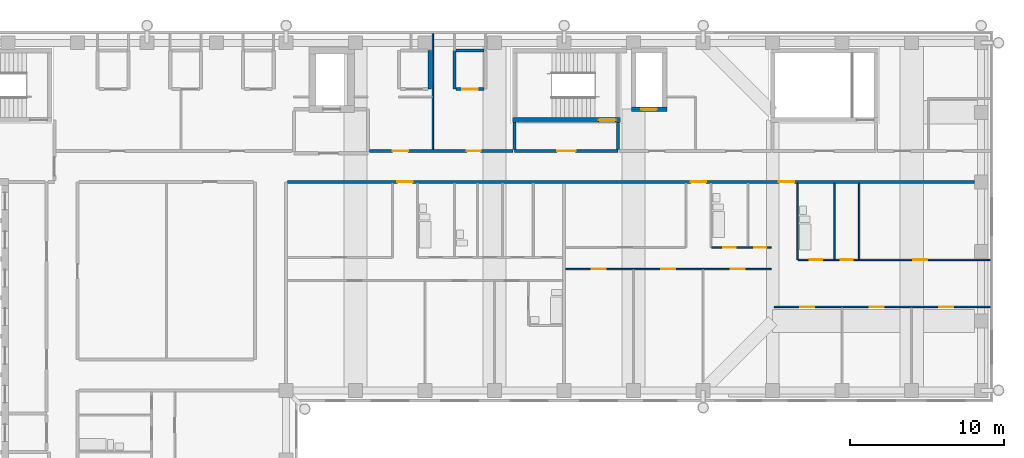
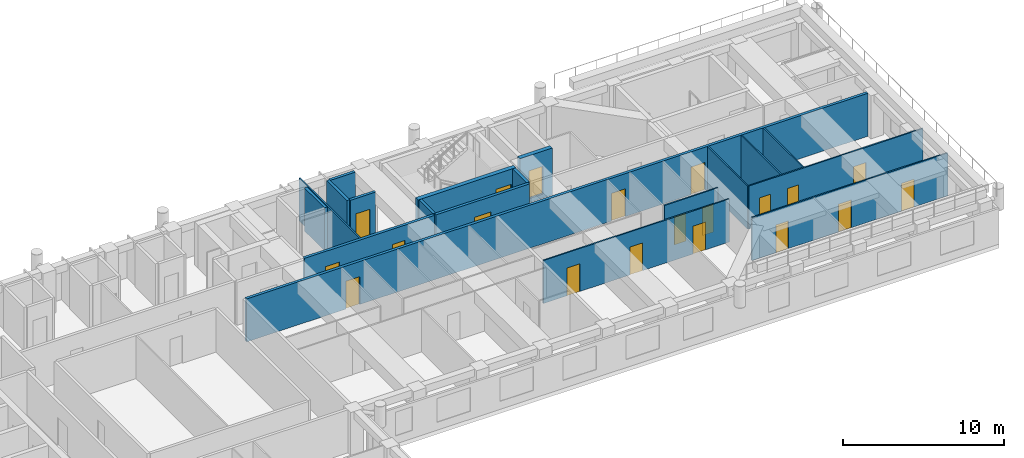
# One storey, part 10 of 14: 20 doors, 19 walls, 20 openings.
"""IFC4 building model written with IfcOpenShell, lengths in metres."""

from ifc_helpers import new_model, si_unit, direction, frame, frame_2d, origin, place, context, subcontext, project, spatial, rectangle, extrude, material, layer, layer_set, type_object, element, fill, save


model = new_model("IFC4")

# Units and contexts
model_context = context("Model", 3, precision=1e-05, world=origin(), true_north=direction((0.0, 1.0)))
body_context = subcontext(model_context, "Body", "Model", "MODEL_VIEW")
ifc_project = project(units=[si_unit("LENGTHUNIT", "METRE"), si_unit("AREAUNIT", "SQUARE_METRE"), si_unit("VOLUMEUNIT", "CUBIC_METRE"), si_unit("PLANEANGLEUNIT", "RADIAN"), si_unit("MASSUNIT", "GRAM", prefix="KILO")], contexts=[model_context])

# Site, building, storey
site_placement = place(None, origin())
site = spatial("IfcSite", under=ifc_project, at=site_placement, CompositionType="ELEMENT")
building_placement = place(site_placement, origin())
building = spatial("IfcBuilding", under=site, at=building_placement, Name="Firuza Court", CompositionType="ELEMENT")
storey_placement = place(building_placement, frame((0.0, 0.0, 182.60009765625)))
storey = spatial("IfcBuildingStorey", under=building, at=storey_placement, Name="L46", CompositionType="ELEMENT", Elevation=182.60009765625)

# Walls
ifc_material_1 = material(Name="Moisture-resistant gypsum board partition")
ifc_layer_1 = layer(ifc_material_1, 0.10009765625)
ifc_layer_set_1 = layer_set([ifc_layer_1], Name="Moisture-resistant gypsum board partition")
wall_type_1 = type_object("IfcWallType", Name="Bathroom partition 100", PredefinedType="PLUMBINGWALL", material=ifc_layer_set_1)
wall_1_placement = place(storey_placement, frame((55.60009765625, 44.449951171875, 0.0), z_axis=(0.0, 0.0, 1.0), x_axis=(0.0, 1.0, 0.0)))
element("IfcWall", 1, at=wall_1_placement, inside=storey, type_object=wall_type_1, Name="Bathroom partition 100 L46", PredefinedType="PLUMBINGWALL", context=body_context, shape_type="SweptSolid", body=[
    extrude(rectangle(XDim=4.949951171875, YDim=0.10009765625, at=frame_2d((2.47509765625, 0.0))), origin(), (0.0, 0.0, 1.0), 3.25),
])
wall_2_placement = place(storey_placement, frame((58.0, 44.5, 0.0), z_axis=(0.0, 0.0, 1.0), x_axis=(0.0, 1.0, 0.0)))
element("IfcWall", 2, at=wall_2_placement, inside=storey, type_object=wall_type_1, Name="Bathroom partition 100 L46", PredefinedType="PLUMBINGWALL", context=body_context, shape_type="SweptSolid", body=[
    extrude(rectangle(XDim=4.89990234375, YDim=0.10009765625, at=frame_2d((2.449951171875, 0.0))), origin(), (0.0, 0.0, 1.0), 3.25),
])

# Wall, opening, door
ifc_material_2 = material(Name="Concrete C50/60", Category="concrete")
ifc_layer_2 = layer(ifc_material_2, 0.300048828125)
ifc_layer_set_2 = layer_set([ifc_layer_2], Name="Concrete C50/60")
wall_type_2 = type_object("IfcWallType", Name="Core wall 300 C50/60", PredefinedType="SHEAR", material=ifc_layer_set_2)
wall_3_placement = place(storey_placement, frame((37.14990234375, 53.5, -0.300048828125), z_axis=(0.0, 0.0, 1.0), x_axis=(1.0, 0.0, 0.0)))
wall_3 = element("IfcWall", 3, at=wall_3_placement, inside=storey, type_object=wall_type_2, Name="Core wall stair L46", PredefinedType="SHEAR", context=body_context, shape_type="SweptSolid", body=[
    extrude(rectangle(XDim=7.0, YDim=0.300048828125, at=frame_2d((3.5, 0.0))), origin(), (0.0, 0.0, 1.0), 3.550048828125),
])
opening_1_placement = place(wall_3_placement, frame((5.580078125, 0.0, 0.300048828125)))
opening_1 = element("IfcOpeningElement", 4, at=opening_1_placement, cuts=wall_3, Name="Opening D46012", PredefinedType="OPENING", context=body_context, shape_type="SweptSolid", body=[
    extrude(rectangle(XDim=1.10009765625, YDim=2.10009765625, at=frame_2d((0.550048828125, 1.050048828125))), frame((0.0, 0.162109375, 0.0), z_axis=(0.0, -1.0, 0.0), x_axis=(1.0, 0.0, 0.0)), (0.0, 0.0, 1.0), 0.323974609375),
])
ifc_material_3 = material(Name="Timber door leaf in hardwood frame", Category="wood")
door_type_1 = type_object("IfcDoorType", Name="Stair door 1100", OperationType="SINGLE_SWING_LEFT", PredefinedType="DOOR", material=ifc_material_3)
door_1_placement = place(opening_1_placement, origin())
door_1 = element("IfcDoor", 5, at=door_1_placement, inside=storey, type_object=door_type_1, Name="Stair door S1", OperationType="SINGLE_SWING_RIGHT", OverallHeight=2.10009765625, OverallWidth=1.10009765625, PredefinedType="DOOR", context=body_context, shape_type="SweptSolid", body=[
    extrude(rectangle(XDim=1.10009765625, YDim=2.10009765625, at=frame_2d((0.550048828125, 1.050048828125))), frame((0.0, 0.02490234375, 0.0), z_axis=(0.0, -1.0, 0.0), x_axis=(1.0, 0.0, 0.0)), (0.0, 0.0, 1.0), 0.050048828125),
])
fill(opening_1, door_1)

wall_4_placement = place(storey_placement, frame((44.85009765625, 54.199951171875, -0.300048828125), z_axis=(0.0, 0.0, 1.0), x_axis=(1.0, 0.0, 0.0)))
wall_4 = element("IfcWall", 6, at=wall_4_placement, inside=storey, type_object=wall_type_2, Name="Core wall riser L46", PredefinedType="SHEAR", context=body_context, shape_type="SweptSolid", body=[
    extrude(rectangle(XDim=2.2998046875, YDim=0.300048828125, at=frame_2d((1.14990234375, 0.0))), origin(), (0.0, 0.0, 1.0), 3.550048828125),
])
opening_2_placement = place(wall_4_placement, frame((0.64990234375, 0.0, 0.300048828125)))
opening_2 = element("IfcOpeningElement", 7, at=opening_2_placement, cuts=wall_4, Name="Opening D46010", PredefinedType="OPENING", context=body_context, shape_type="SweptSolid", body=[
    extrude(rectangle(XDim=1.0, YDim=2.10009765625, at=frame_2d((0.5, 1.050048828125))), frame((0.0, 0.162109375, 0.0), z_axis=(0.0, -1.0, 0.0), x_axis=(1.0, 0.0, 0.0)), (0.0, 0.0, 1.0), 0.323974609375),
])
ifc_material_4 = material(Name="Timber door leaf in hardwood frame", Category="wood")
door_type_2 = type_object("IfcDoorType", Name="Riser door 1000", OperationType="SINGLE_SWING_LEFT", PredefinedType="DOOR", material=ifc_material_4)
door_2_placement = place(opening_2_placement, origin())
door_2 = element("IfcDoor", 8, at=door_2_placement, inside=storey, type_object=door_type_2, Name="Riser door R3", OperationType="SINGLE_SWING_LEFT", OverallHeight=2.10009765625, OverallWidth=1.0, PredefinedType="DOOR", context=body_context, shape_type="SweptSolid", body=[
    extrude(rectangle(XDim=1.0, YDim=2.10009765625, at=frame_2d((0.5, 1.050048828125))), frame((0.0, 0.02490234375, 0.0), z_axis=(0.0, -1.0, 0.0), x_axis=(1.0, 0.0, 0.0)), (0.0, 0.0, 1.0), 0.050048828125),
])
fill(opening_2, door_2)

# Wall, openings, doors
ifc_material_5 = material(Name="Blockwork, plastered both sides", Category="masonry")
ifc_layer_3 = layer(ifc_material_5, 0.199951171875)
ifc_layer_set_3 = layer_set([ifc_layer_3], Name="Blockwork, plastered both sides")
wall_type_3 = type_object("IfcWallType", Name="Corridor wall 200", PredefinedType="PARTITIONING", material=ifc_layer_set_3)
wall_5_placement = place(storey_placement, frame((22.60009765625, 49.5, 0.0), z_axis=(0.0, 0.0, 1.0), x_axis=(1.0, 0.0, 0.0)))
wall_5 = element("IfcWall", 9, at=wall_5_placement, inside=storey, type_object=wall_type_3, Name="Corridor wall 200 L46", PredefinedType="PARTITIONING", context=body_context, shape_type="SweptSolid", body=[
    extrude(rectangle(XDim=44.449951171875, YDim=0.199951171875, at=frame_2d((22.22509765625, 0.0))), origin(), (0.0, 0.0, 1.0), 3.25),
])
opening_3_placement = place(wall_5_placement, frame((7.10009765625, 0.0, 0.0)))
opening_3 = element("IfcOpeningElement", 10, at=opening_3_placement, cuts=wall_5, Name="Opening D46060", PredefinedType="OPENING", context=body_context, shape_type="SweptSolid", body=[
    extrude(rectangle(XDim=1.0, YDim=2.10009765625, at=frame_2d((0.5, 1.050048828125))), frame((0.0, 0.11181640625, 0.0), z_axis=(0.0, -1.0, 0.0), x_axis=(1.0, 0.0, 0.0)), (0.0, 0.0, 1.0), 0.223876953125),
])
opening_4_placement = place(wall_5_placement, frame((26.10009765625, 0.0, 0.0)))
opening_4 = element("IfcOpeningElement", 11, at=opening_4_placement, cuts=wall_5, Name="Opening D46061", PredefinedType="OPENING", context=body_context, shape_type="SweptSolid", body=[
    extrude(rectangle(XDim=1.0, YDim=2.10009765625, at=frame_2d((0.5, 1.050048828125))), frame((0.0, 0.11181640625, 0.0), z_axis=(0.0, -1.0, 0.0), x_axis=(1.0, 0.0, 0.0)), (0.0, 0.0, 1.0), 0.223876953125),
])
opening_5_placement = place(wall_5_placement, frame((31.800048828125, 0.0, 0.0)))
opening_5 = element("IfcOpeningElement", 12, at=opening_5_placement, cuts=wall_5, Name="Opening D46062", PredefinedType="OPENING", context=body_context, shape_type="SweptSolid", body=[
    extrude(rectangle(XDim=1.0, YDim=2.10009765625, at=frame_2d((0.5, 1.050048828125))), frame((0.0, 0.11181640625, 0.0), z_axis=(0.0, -1.0, 0.0), x_axis=(1.0, 0.0, 0.0)), (0.0, 0.0, 1.0), 0.223876953125),
])
ifc_material_6 = material(Name="Timber door leaf in hardwood frame", Category="wood")
door_type_3 = type_object("IfcDoorType", Name="Flat entrance door 1000", OperationType="SINGLE_SWING_LEFT", PredefinedType="DOOR", material=ifc_material_6)
door_3_placement = place(opening_3_placement, origin())
door_3 = element("IfcDoor", 13, at=door_3_placement, inside=storey, type_object=door_type_3, Name="Flat entrance door", OperationType="SINGLE_SWING_LEFT", OverallHeight=2.10009765625, OverallWidth=1.0, PredefinedType="DOOR", context=body_context, shape_type="SweptSolid", body=[
    extrude(rectangle(XDim=1.0, YDim=2.10009765625, at=frame_2d((0.5, 1.050048828125))), frame((0.0, 0.02490234375, 0.0), z_axis=(0.0, -1.0, 0.0), x_axis=(1.0, 0.0, 0.0)), (0.0, 0.0, 1.0), 0.050048828125),
])
fill(opening_3, door_3)
door_4_placement = place(opening_4_placement, origin())
door_4 = element("IfcDoor", 14, at=door_4_placement, inside=storey, type_object=door_type_3, Name="Flat entrance door", OperationType="SINGLE_SWING_LEFT", OverallHeight=2.10009765625, OverallWidth=1.0, PredefinedType="DOOR", context=body_context, shape_type="SweptSolid", body=[
    extrude(rectangle(XDim=1.0, YDim=2.10009765625, at=frame_2d((0.5, 1.050048828125))), frame((0.0, 0.02490234375, 0.0), z_axis=(0.0, -1.0, 0.0), x_axis=(1.0, 0.0, 0.0)), (0.0, 0.0, 1.0), 0.050048828125),
])
fill(opening_4, door_4)
door_5_placement = place(opening_5_placement, origin())
door_5 = element("IfcDoor", 15, at=door_5_placement, inside=storey, type_object=door_type_3, Name="Flat entrance door", OperationType="SINGLE_SWING_LEFT", OverallHeight=2.10009765625, OverallWidth=1.0, PredefinedType="DOOR", context=body_context, shape_type="SweptSolid", body=[
    extrude(rectangle(XDim=1.0, YDim=2.10009765625, at=frame_2d((0.5, 1.050048828125))), frame((0.0, 0.02490234375, 0.0), z_axis=(0.0, -1.0, 0.0), x_axis=(1.0, 0.0, 0.0)), (0.0, 0.0, 1.0), 0.050048828125),
])
fill(opening_5, door_5)

wall_6_placement = place(storey_placement, frame((27.89990234375, 51.5, 0.0), z_axis=(0.0, 0.0, 1.0), x_axis=(1.0, 0.0, 0.0)))
wall_6 = element("IfcWall", 16, at=wall_6_placement, inside=storey, type_object=wall_type_3, Name="Corridor wall 200 L46", PredefinedType="PARTITIONING", context=body_context, shape_type="SweptSolid", body=[
    extrude(rectangle(XDim=9.300048828125, YDim=0.199951171875, at=frame_2d((4.64990234375, 0.0))), origin(), (0.0, 0.0, 1.0), 3.25),
])
opening_6_placement = place(wall_6_placement, frame((1.5, 0.0, 0.0)))
opening_6 = element("IfcOpeningElement", 17, at=opening_6_placement, cuts=wall_6, Name="Opening D46065", PredefinedType="OPENING", context=body_context, shape_type="SweptSolid", body=[
    extrude(rectangle(XDim=1.0, YDim=2.10009765625, at=frame_2d((0.5, 1.050048828125))), frame((0.0, 0.11181640625, 0.0), z_axis=(0.0, -1.0, 0.0), x_axis=(1.0, 0.0, 0.0)), (0.0, 0.0, 1.0), 0.223876953125),
])
opening_7_placement = place(wall_6_placement, frame((6.300048828125, 0.0, 0.0)))
opening_7 = element("IfcOpeningElement", 18, at=opening_7_placement, cuts=wall_6, Name="Opening D46066", PredefinedType="OPENING", context=body_context, shape_type="SweptSolid", body=[
    extrude(rectangle(XDim=0.89990234375, YDim=2.10009765625, at=frame_2d((0.449951171875, 1.050048828125))), frame((0.0, 0.11181640625, 0.0), z_axis=(0.0, -1.0, 0.0), x_axis=(1.0, 0.0, 0.0)), (0.0, 0.0, 1.0), 0.223876953125),
])
ifc_material_7 = material(Name="Timber door leaf in hardwood frame", Category="wood")
door_type_4 = type_object("IfcDoorType", Name="Room door 900 EI 30", OperationType="SINGLE_SWING_LEFT", PredefinedType="DOOR", material=ifc_material_7)
door_6_placement = place(opening_7_placement, origin())
door_6 = element("IfcDoor", 19, at=door_6_placement, inside=storey, type_object=door_type_4, Name="Staff pantry door", OperationType="SINGLE_SWING_LEFT", OverallHeight=2.10009765625, OverallWidth=0.89990234375, PredefinedType="DOOR", context=body_context, shape_type="SweptSolid", body=[
    extrude(rectangle(XDim=0.89990234375, YDim=2.10009765625, at=frame_2d((0.449951171875, 1.050048828125))), frame((0.0, 0.02490234375, 0.0), z_axis=(0.0, -1.0, 0.0), x_axis=(1.0, 0.0, 0.0)), (0.0, 0.0, 1.0), 0.050048828125),
])
fill(opening_7, door_6)
ifc_material_8 = material(Name="Timber door leaf in hardwood frame", Category="wood")
door_type_5 = type_object("IfcDoorType", Name="Store door 1000", OperationType="SINGLE_SWING_LEFT", PredefinedType="DOOR", material=ifc_material_8)
door_7_placement = place(opening_6_placement, origin())
door_7 = element("IfcDoor", 20, at=door_7_placement, inside=storey, type_object=door_type_5, Name="Parcel room door", OperationType="SINGLE_SWING_LEFT", OverallHeight=2.10009765625, OverallWidth=1.0, PredefinedType="DOOR", context=body_context, shape_type="SweptSolid", body=[
    extrude(rectangle(XDim=1.0, YDim=2.10009765625, at=frame_2d((0.5, 1.050048828125))), frame((0.0, 0.02490234375, 0.0), z_axis=(0.0, -1.0, 0.0), x_axis=(1.0, 0.0, 0.0)), (0.0, 0.0, 1.0), 0.050048828125),
])
fill(opening_6, door_7)

ifc_material_9 = material(Name="Timber stud partition, plasterboard both sides", Category="wood")
ifc_layer_4 = layer(ifc_material_9, 0.10009765625)
ifc_layer_set_4 = layer_set([ifc_layer_4], Name="Timber stud partition, plasterboard both sides")
wall_type_4 = type_object("IfcWallType", Name="Partition wall 100", PredefinedType="PARTITIONING", material=ifc_layer_set_4)
wall_7_placement = place(storey_placement, frame((54.10009765625, 41.39990234375, 0.0), z_axis=(0.0, 0.0, 1.0), x_axis=(1.0, 0.0, 0.0)))
wall_7 = element("IfcWall", 21, at=wall_7_placement, inside=storey, type_object=wall_type_4, Name="Partition wall 100 L46", PredefinedType="PARTITIONING", context=body_context, shape_type="SweptSolid", body=[
    extrude(rectangle(XDim=14.0, YDim=0.10009765625, at=frame_2d((7.0, 0.0))), origin(), (0.0, 0.0, 1.0), 3.25),
])
opening_8_placement = place(wall_7_placement, frame((1.699951171875, 0.0, 0.0)))
opening_8 = element("IfcOpeningElement", 22, at=opening_8_placement, cuts=wall_7, Name="Opening D46038", PredefinedType="OPENING", context=body_context, shape_type="SweptSolid", body=[
    extrude(rectangle(XDim=0.89990234375, YDim=2.10009765625, at=frame_2d((0.449951171875, 1.050048828125))), frame((0.0, 0.06201171875, 0.0), z_axis=(0.0, -1.0, 0.0), x_axis=(1.0, 0.0, 0.0)), (0.0, 0.0, 1.0), 0.1240234375),
])
opening_9_placement = place(wall_7_placement, frame((6.199951171875, 0.0, 0.0)))
opening_9 = element("IfcOpeningElement", 23, at=opening_9_placement, cuts=wall_7, Name="Opening D46039", PredefinedType="OPENING", context=body_context, shape_type="SweptSolid", body=[
    extrude(rectangle(XDim=0.89990234375, YDim=2.10009765625, at=frame_2d((0.449951171875, 1.050048828125))), frame((0.0, 0.06201171875, 0.0), z_axis=(0.0, -1.0, 0.0), x_axis=(1.0, 0.0, 0.0)), (0.0, 0.0, 1.0), 0.1240234375),
])
opening_10_placement = place(wall_7_placement, frame((10.699951171875, 0.0, 0.0)))
opening_10 = element("IfcOpeningElement", 24, at=opening_10_placement, cuts=wall_7, Name="Opening D46040", PredefinedType="OPENING", context=body_context, shape_type="SweptSolid", body=[
    extrude(rectangle(XDim=0.89990234375, YDim=2.10009765625, at=frame_2d((0.449951171875, 1.050048828125))), frame((0.0, 0.06201171875, 0.0), z_axis=(0.0, -1.0, 0.0), x_axis=(1.0, 0.0, 0.0)), (0.0, 0.0, 1.0), 0.1240234375),
])
ifc_material_10 = material(Name="Timber door leaf in hardwood frame", Category="wood")
door_type_6 = type_object("IfcDoorType", Name="Room door 900", OperationType="SINGLE_SWING_LEFT", PredefinedType="DOOR", material=ifc_material_10)
door_8_placement = place(opening_8_placement, frame((0.89990234375, 0.0, 0.0), z_axis=(0.0, 0.0, 1.0), x_axis=(-1.0, 0.0, 0.0)))
door_8 = element("IfcDoor", 25, at=door_8_placement, inside=storey, type_object=door_type_6, Name="Living room door", OperationType="SINGLE_SWING_RIGHT", OverallHeight=2.10009765625, OverallWidth=0.89990234375, PredefinedType="DOOR", context=body_context, shape_type="SweptSolid", body=[
    extrude(rectangle(XDim=0.89990234375, YDim=2.10009765625, at=frame_2d((0.449951171875, 1.050048828125))), frame((0.0, 0.02490234375, 0.0), z_axis=(0.0, -1.0, 0.0), x_axis=(1.0, 0.0, 0.0)), (0.0, 0.0, 1.0), 0.050048828125),
])
fill(opening_8, door_8)
door_9_placement = place(opening_9_placement, frame((0.89990234375, 0.0, 0.0), z_axis=(0.0, 0.0, 1.0), x_axis=(-1.0, 0.0, 0.0)))
door_9 = element("IfcDoor", 26, at=door_9_placement, inside=storey, type_object=door_type_6, Name="Bedroom door", OperationType="SINGLE_SWING_RIGHT", OverallHeight=2.10009765625, OverallWidth=0.89990234375, PredefinedType="DOOR", context=body_context, shape_type="SweptSolid", body=[
    extrude(rectangle(XDim=0.89990234375, YDim=2.10009765625, at=frame_2d((0.449951171875, 1.050048828125))), frame((0.0, 0.02490234375, 0.0), z_axis=(0.0, -1.0, 0.0), x_axis=(1.0, 0.0, 0.0)), (0.0, 0.0, 1.0), 0.050048828125),
])
fill(opening_9, door_9)
door_10_placement = place(opening_10_placement, frame((0.89990234375, 0.0, 0.0), z_axis=(0.0, 0.0, 1.0), x_axis=(-1.0, 0.0, 0.0)))
door_10 = element("IfcDoor", 27, at=door_10_placement, inside=storey, type_object=door_type_6, Name="Bedroom door", OperationType="SINGLE_SWING_RIGHT", OverallHeight=2.10009765625, OverallWidth=0.89990234375, PredefinedType="DOOR", context=body_context, shape_type="SweptSolid", body=[
    extrude(rectangle(XDim=0.89990234375, YDim=2.10009765625, at=frame_2d((0.449951171875, 1.050048828125))), frame((0.0, 0.02490234375, 0.0), z_axis=(0.0, -1.0, 0.0), x_axis=(1.0, 0.0, 0.0)), (0.0, 0.0, 1.0), 0.050048828125),
])
fill(opening_10, door_10)

wall_8_placement = place(storey_placement, frame((40.60009765625, 43.85009765625, 0.0), z_axis=(0.0, 0.0, 1.0), x_axis=(1.0, 0.0, 0.0)))
wall_8 = element("IfcWall", 28, at=wall_8_placement, inside=storey, type_object=wall_type_4, Name="Partition wall 100 L46", PredefinedType="PARTITIONING", context=body_context, shape_type="SweptSolid", body=[
    extrude(rectangle(XDim=13.2998046875, YDim=0.10009765625, at=frame_2d((6.64990234375, 0.0))), origin(), (0.0, 0.0, 1.0), 3.25),
])
opening_11_placement = place(wall_8_placement, frame((1.699951171875, 0.0, 0.0)))
opening_11 = element("IfcOpeningElement", 29, at=opening_11_placement, cuts=wall_8, Name="Opening D46044", PredefinedType="OPENING", context=body_context, shape_type="SweptSolid", body=[
    extrude(rectangle(XDim=0.89990234375, YDim=2.10009765625, at=frame_2d((0.449951171875, 1.050048828125))), frame((0.0, 0.06201171875, 0.0), z_axis=(0.0, -1.0, 0.0), x_axis=(1.0, 0.0, 0.0)), (0.0, 0.0, 1.0), 0.1240234375),
])
opening_12_placement = place(wall_8_placement, frame((6.199951171875, 0.0, 0.0)))
opening_12 = element("IfcOpeningElement", 30, at=opening_12_placement, cuts=wall_8, Name="Opening D46045", PredefinedType="OPENING", context=body_context, shape_type="SweptSolid", body=[
    extrude(rectangle(XDim=0.89990234375, YDim=2.10009765625, at=frame_2d((0.449951171875, 1.050048828125))), frame((0.0, 0.06201171875, 0.0), z_axis=(0.0, -1.0, 0.0), x_axis=(1.0, 0.0, 0.0)), (0.0, 0.0, 1.0), 0.1240234375),
])
opening_13_placement = place(wall_8_placement, frame((10.699951171875, 0.0, 0.0)))
opening_13 = element("IfcOpeningElement", 31, at=opening_13_placement, cuts=wall_8, Name="Opening D46046", PredefinedType="OPENING", context=body_context, shape_type="SweptSolid", body=[
    extrude(rectangle(XDim=0.89990234375, YDim=2.10009765625, at=frame_2d((0.449951171875, 1.050048828125))), frame((0.0, 0.06201171875, 0.0), z_axis=(0.0, -1.0, 0.0), x_axis=(1.0, 0.0, 0.0)), (0.0, 0.0, 1.0), 0.1240234375),
])
door_11_placement = place(opening_11_placement, frame((0.89990234375, 0.0, 0.0), z_axis=(0.0, 0.0, 1.0), x_axis=(-1.0, 0.0, 0.0)))
door_11 = element("IfcDoor", 32, at=door_11_placement, inside=storey, type_object=door_type_6, Name="Living room door", OperationType="SINGLE_SWING_RIGHT", OverallHeight=2.10009765625, OverallWidth=0.89990234375, PredefinedType="DOOR", context=body_context, shape_type="SweptSolid", body=[
    extrude(rectangle(XDim=0.89990234375, YDim=2.10009765625, at=frame_2d((0.449951171875, 1.050048828125))), frame((0.0, 0.02490234375, 0.0), z_axis=(0.0, -1.0, 0.0), x_axis=(1.0, 0.0, 0.0)), (0.0, 0.0, 1.0), 0.050048828125),
])
fill(opening_11, door_11)
door_12_placement = place(opening_12_placement, frame((0.89990234375, 0.0, 0.0), z_axis=(0.0, 0.0, 1.0), x_axis=(-1.0, 0.0, 0.0)))
door_12 = element("IfcDoor", 33, at=door_12_placement, inside=storey, type_object=door_type_6, Name="Bedroom door", OperationType="SINGLE_SWING_RIGHT", OverallHeight=2.10009765625, OverallWidth=0.89990234375, PredefinedType="DOOR", context=body_context, shape_type="SweptSolid", body=[
    extrude(rectangle(XDim=0.89990234375, YDim=2.10009765625, at=frame_2d((0.449951171875, 1.050048828125))), frame((0.0, 0.02490234375, 0.0), z_axis=(0.0, -1.0, 0.0), x_axis=(1.0, 0.0, 0.0)), (0.0, 0.0, 1.0), 0.050048828125),
])
fill(opening_12, door_12)
door_13_placement = place(opening_13_placement, frame((0.89990234375, 0.0, 0.0), z_axis=(0.0, 0.0, 1.0), x_axis=(-1.0, 0.0, 0.0)))
door_13 = element("IfcDoor", 34, at=door_13_placement, inside=storey, type_object=door_type_6, Name="Study door", OperationType="SINGLE_SWING_LEFT", OverallHeight=2.10009765625, OverallWidth=0.89990234375, PredefinedType="DOOR", context=body_context, shape_type="SweptSolid", body=[
    extrude(rectangle(XDim=0.89990234375, YDim=2.10009765625, at=frame_2d((0.449951171875, 1.050048828125))), frame((0.0, 0.02490234375, 0.0), z_axis=(0.0, -1.0, 0.0), x_axis=(1.0, 0.0, 0.0)), (0.0, 0.0, 1.0), 0.050048828125),
])
fill(opening_13, door_13)

wall_9_placement = place(storey_placement, frame((55.64990234375, 44.449951171875, 0.0), z_axis=(0.0, 0.0, 1.0), x_axis=(1.0, 0.0, 0.0)))
wall_9 = element("IfcWall", 35, at=wall_9_placement, inside=storey, type_object=wall_type_4, Name="Partition wall 100 L46", PredefinedType="PARTITIONING", context=body_context, shape_type="SweptSolid", body=[
    extrude(rectangle(XDim=12.4501953125, YDim=0.10009765625, at=frame_2d((6.22509765625, 0.0))), origin(), (0.0, 0.0, 1.0), 3.25),
])
opening_14_placement = place(wall_9_placement, frame((0.75, 0.0, 0.0)))
opening_14 = element("IfcOpeningElement", 36, at=opening_14_placement, cuts=wall_9, Name="Opening D46047", PredefinedType="OPENING", context=body_context, shape_type="SweptSolid", body=[
    extrude(rectangle(XDim=0.800048828125, YDim=2.10009765625, at=frame_2d((0.39990234375, 1.050048828125))), frame((0.0, 0.06201171875, 0.0), z_axis=(0.0, -1.0, 0.0), x_axis=(1.0, 0.0, 0.0)), (0.0, 0.0, 1.0), 0.1240234375),
])
opening_15_placement = place(wall_9_placement, frame((7.449951171875, 0.0, 0.0)))
opening_15 = element("IfcOpeningElement", 37, at=opening_15_placement, cuts=wall_9, Name="Opening D46048", PredefinedType="OPENING", context=body_context, shape_type="SweptSolid", body=[
    extrude(rectangle(XDim=0.89990234375, YDim=2.10009765625, at=frame_2d((0.449951171875, 1.050048828125))), frame((0.0, 0.06201171875, 0.0), z_axis=(0.0, -1.0, 0.0), x_axis=(1.0, 0.0, 0.0)), (0.0, 0.0, 1.0), 0.1240234375),
])
opening_16_placement = place(wall_9_placement, frame((2.75, 0.0, 0.0)))
opening_16 = element("IfcOpeningElement", 38, at=opening_16_placement, cuts=wall_9, Name="Opening D46049", PredefinedType="OPENING", context=body_context, shape_type="SweptSolid", body=[
    extrude(rectangle(XDim=0.800048828125, YDim=2.10009765625, at=frame_2d((0.39990234375, 1.050048828125))), frame((0.0, 0.06201171875, 0.0), z_axis=(0.0, -1.0, 0.0), x_axis=(1.0, 0.0, 0.0)), (0.0, 0.0, 1.0), 0.1240234375),
])
ifc_material_11 = material(Name="Timber door leaf in hardwood frame", Category="wood")
door_type_7 = type_object("IfcDoorType", Name="Bathroom door 800", OperationType="SINGLE_SWING_LEFT", PredefinedType="DOOR", material=ifc_material_11)
door_14_placement = place(opening_14_placement, origin())
door_14 = element("IfcDoor", 39, at=door_14_placement, inside=storey, type_object=door_type_7, Name="Bathroom door", OperationType="SINGLE_SWING_LEFT", OverallHeight=2.10009765625, OverallWidth=0.800048828125, PredefinedType="DOOR", context=body_context, shape_type="SweptSolid", body=[
    extrude(rectangle(XDim=0.800048828125, YDim=2.10009765625, at=frame_2d((0.39990234375, 1.050048828125))), frame((0.0, 0.02490234375, 0.0), z_axis=(0.0, -1.0, 0.0), x_axis=(1.0, 0.0, 0.0)), (0.0, 0.0, 1.0), 0.050048828125),
])
fill(opening_14, door_14)
ifc_material_12 = material(Name="Timber door leaf in hardwood frame", Category="wood")
door_type_8 = type_object("IfcDoorType", Name="Room door 800", OperationType="SINGLE_SWING_LEFT", PredefinedType="DOOR", material=ifc_material_12)
door_15_placement = place(opening_16_placement, origin())
door_15 = element("IfcDoor", 40, at=door_15_placement, inside=storey, type_object=door_type_8, Name="Store door", OperationType="SINGLE_SWING_LEFT", OverallHeight=2.10009765625, OverallWidth=0.800048828125, PredefinedType="DOOR", context=body_context, shape_type="SweptSolid", body=[
    extrude(rectangle(XDim=0.800048828125, YDim=2.10009765625, at=frame_2d((0.39990234375, 1.050048828125))), frame((0.0, 0.02490234375, 0.0), z_axis=(0.0, -1.0, 0.0), x_axis=(1.0, 0.0, 0.0)), (0.0, 0.0, 1.0), 0.050048828125),
])
fill(opening_16, door_15)
door_16_placement = place(opening_15_placement, origin())
door_16 = element("IfcDoor", 41, at=door_16_placement, inside=storey, type_object=door_type_6, Name="Kitchen door", OperationType="SINGLE_SWING_LEFT", OverallHeight=2.10009765625, OverallWidth=0.89990234375, PredefinedType="DOOR", context=body_context, shape_type="SweptSolid", body=[
    extrude(rectangle(XDim=0.89990234375, YDim=2.10009765625, at=frame_2d((0.449951171875, 1.050048828125))), frame((0.0, 0.02490234375, 0.0), z_axis=(0.0, -1.0, 0.0), x_axis=(1.0, 0.0, 0.0)), (0.0, 0.0, 1.0), 0.050048828125),
])
fill(opening_15, door_16)

# Wall
wall_10_placement = place(storey_placement, frame((59.60009765625, 44.5, 0.0), z_axis=(0.0, 0.0, 1.0), x_axis=(0.0, 1.0, 0.0)))
element("IfcWall", 42, at=wall_10_placement, inside=storey, type_object=wall_type_4, Name="Partition wall 100 L46", PredefinedType="PARTITIONING", context=body_context, shape_type="SweptSolid", body=[
    extrude(rectangle(XDim=4.89990234375, YDim=0.10009765625, at=frame_2d((2.449951171875, 0.0))), origin(), (0.0, 0.0, 1.0), 3.25),
])

# Wall, openings, doors
wall_11_placement = place(storey_placement, frame((50.050048828125, 45.25, 0.0), z_axis=(0.0, 0.0, 1.0), x_axis=(1.0, 0.0, 0.0)))
wall_11 = element("IfcWall", 43, at=wall_11_placement, inside=storey, type_object=wall_type_4, Name="Partition wall 100 L46", PredefinedType="PARTITIONING", context=body_context, shape_type="SweptSolid", body=[
    extrude(rectangle(XDim=3.849853515625, YDim=0.10009765625, at=frame_2d((1.9248046875, 0.0))), origin(), (0.0, 0.0, 1.0), 3.25),
])
opening_17_placement = place(wall_11_placement, frame((0.75, 0.0, 0.0)))
opening_17 = element("IfcOpeningElement", 44, at=opening_17_placement, cuts=wall_11, Name="Opening D46057", PredefinedType="OPENING", context=body_context, shape_type="SweptSolid", body=[
    extrude(rectangle(XDim=0.800048828125, YDim=2.10009765625, at=frame_2d((0.39990234375, 1.050048828125))), frame((0.0, 0.06201171875, 0.0), z_axis=(0.0, -1.0, 0.0), x_axis=(1.0, 0.0, 0.0)), (0.0, 0.0, 1.0), 0.1240234375),
])
opening_18_placement = place(wall_11_placement, frame((2.75, 0.0, 0.0)))
opening_18 = element("IfcOpeningElement", 45, at=opening_18_placement, cuts=wall_11, Name="Opening D46058", PredefinedType="OPENING", context=body_context, shape_type="SweptSolid", body=[
    extrude(rectangle(XDim=0.800048828125, YDim=2.10009765625, at=frame_2d((0.39990234375, 1.050048828125))), frame((0.0, 0.06201171875, 0.0), z_axis=(0.0, -1.0, 0.0), x_axis=(1.0, 0.0, 0.0)), (0.0, 0.0, 1.0), 0.1240234375),
])
door_17_placement = place(opening_17_placement, origin())
door_17 = element("IfcDoor", 46, at=door_17_placement, inside=storey, type_object=door_type_7, Name="Bathroom door", OperationType="SINGLE_SWING_LEFT", OverallHeight=2.10009765625, OverallWidth=0.800048828125, PredefinedType="DOOR", context=body_context, shape_type="SweptSolid", body=[
    extrude(rectangle(XDim=0.800048828125, YDim=2.10009765625, at=frame_2d((0.39990234375, 1.050048828125))), frame((0.0, 0.02490234375, 0.0), z_axis=(0.0, -1.0, 0.0), x_axis=(1.0, 0.0, 0.0)), (0.0, 0.0, 1.0), 0.050048828125),
])
fill(opening_17, door_17)
door_18_placement = place(opening_18_placement, origin())
door_18 = element("IfcDoor", 47, at=door_18_placement, inside=storey, type_object=door_type_8, Name="Store door", OperationType="SINGLE_SWING_RIGHT", OverallHeight=2.10009765625, OverallWidth=0.800048828125, PredefinedType="DOOR", context=body_context, shape_type="SweptSolid", body=[
    extrude(rectangle(XDim=0.800048828125, YDim=2.10009765625, at=frame_2d((0.39990234375, 1.050048828125))), frame((0.0, 0.02490234375, 0.0), z_axis=(0.0, -1.0, 0.0), x_axis=(1.0, 0.0, 0.0)), (0.0, 0.0, 1.0), 0.050048828125),
])
fill(opening_18, door_18)

# Walls
wall_12_placement = place(storey_placement, frame((32.0, 51.60009765625, 0.0), z_axis=(0.0, 0.0, 1.0), x_axis=(0.0, 1.0, 0.0)))
element("IfcWall", 48, at=wall_12_placement, inside=storey, type_object=wall_type_4, Name="Partition wall 100 L46", PredefinedType="PARTITIONING", context=body_context, shape_type="SweptSolid", body=[
    extrude(rectangle(XDim=7.5, YDim=0.10009765625, at=frame_2d((3.75, 0.0))), origin(), (0.0, 0.0, 1.0), 3.25),
])
ifc_material_13 = material(Name="Blockwork, fire-rated", Category="masonry")
ifc_layer_5 = layer(ifc_material_13, 0.199951171875)
ifc_layer_set_5 = layer_set([ifc_layer_5], Name="Blockwork, fire-rated")
wall_type_5 = type_object("IfcWallType", Name="Plant room wall 200", PredefinedType="PARTITIONING", material=ifc_layer_set_5)
for number, where, z_axis, x_axis, name in (
    (49, (31.800048828125, 55.5, 0.0), (0.0, 0.0, 1.0), (0.0, 1.0, 0.0), "Plant room wall 200 L46"),
    (50, (33.39990234375, 55.5, 0.0), (0.0, 0.0, 1.0), (0.0, 1.0, 0.0), "Plant room wall 200 L46"),
):
    element("IfcWall", number, at=place(storey_placement, frame(where, z_axis=z_axis, x_axis=x_axis)), inside=storey, type_object=wall_type_5, Name=name, PredefinedType="PARTITIONING", context=body_context, shape_type="SweptSolid", body=[
        extrude(rectangle(XDim=2.5, YDim=0.199951171875, at=frame_2d((1.25, 0.0))), origin(), (0.0, 0.0, 1.0), 3.25),
    ])

# Wall, opening, door
wall_13_placement = place(storey_placement, frame((33.5, 55.5, 0.0), z_axis=(0.0, 0.0, 1.0), x_axis=(1.0, 0.0, 0.0)))
wall_13 = element("IfcWall", 51, at=wall_13_placement, inside=storey, type_object=wall_type_5, Name="Plant room wall 200 L46", PredefinedType="PARTITIONING", context=body_context, shape_type="SweptSolid", body=[
    extrude(rectangle(XDim=1.800048828125, YDim=0.199951171875, at=frame_2d((0.89990234375, 0.0))), origin(), (0.0, 0.0, 1.0), 3.25),
])
opening_19_placement = place(wall_13_placement, frame((0.39990234375, 0.0, 0.0)))
opening_19 = element("IfcOpeningElement", 52, at=opening_19_placement, cuts=wall_13, Name="Opening D46075", PredefinedType="OPENING", context=body_context, shape_type="SweptSolid", body=[
    extrude(rectangle(XDim=1.0, YDim=2.10009765625, at=frame_2d((0.5, 1.050048828125))), frame((0.0, 0.11181640625, 0.0), z_axis=(0.0, -1.0, 0.0), x_axis=(1.0, 0.0, 0.0)), (0.0, 0.0, 1.0), 0.223876953125),
])
door_19_placement = place(opening_19_placement, origin())
door_19 = element("IfcDoor", 53, at=door_19_placement, inside=storey, type_object=door_type_2, Name="Duct riser door", OperationType="SINGLE_SWING_LEFT", OverallHeight=2.10009765625, OverallWidth=1.0, PredefinedType="DOOR", context=body_context, shape_type="SweptSolid", body=[
    extrude(rectangle(XDim=1.0, YDim=2.10009765625, at=frame_2d((0.5, 1.050048828125))), frame((0.0, 0.02490234375, 0.0), z_axis=(0.0, -1.0, 0.0), x_axis=(1.0, 0.0, 0.0)), (0.0, 0.0, 1.0), 0.050048828125),
])
fill(opening_19, door_19)

# Wall
wall_14_placement = place(storey_placement, frame((33.5, 58.0, 0.0), z_axis=(0.0, 0.0, 1.0), x_axis=(1.0, 0.0, 0.0)))
element("IfcWall", 54, at=wall_14_placement, inside=storey, type_object=wall_type_5, Name="Plant room wall 200 L46", PredefinedType="PARTITIONING", context=body_context, shape_type="SweptSolid", body=[
    extrude(rectangle(XDim=1.800048828125, YDim=0.199951171875, at=frame_2d((0.89990234375, 0.0))), origin(), (0.0, 0.0, 1.0), 3.25),
])

# Wall, opening, door
ifc_layer_6 = layer(ifc_material_13, 0.199951171875)
ifc_layer_set_6 = layer_set([ifc_layer_6], Name="Blockwork, fire-rated")
wall_type_6 = type_object("IfcWallType", Name="Shaft wall 200", PredefinedType="PARTITIONING", material=ifc_layer_set_6)
wall_15_placement = place(storey_placement, frame((37.300048828125, 51.5, 0.0), z_axis=(0.0, 0.0, 1.0), x_axis=(1.0, 0.0, 0.0)))
wall_15 = element("IfcWall", 55, at=wall_15_placement, inside=storey, type_object=wall_type_6, Name="Shaft wall 200 L46", PredefinedType="PARTITIONING", context=body_context, shape_type="SweptSolid", body=[
    extrude(rectangle(XDim=6.699951171875, YDim=0.199951171875, at=frame_2d((3.35009765625, 0.0))), origin(), (0.0, 0.0, 1.0), 3.25),
])
opening_20_placement = place(wall_15_placement, frame((2.75, 0.0, 0.0)))
opening_20 = element("IfcOpeningElement", 56, at=opening_20_placement, cuts=wall_15, Name="Opening D46006", PredefinedType="OPENING", context=body_context, shape_type="SweptSolid", body=[
    extrude(rectangle(XDim=1.199951171875, YDim=2.10009765625, at=frame_2d((0.60009765625, 1.050048828125))), frame((0.0, 0.11181640625, 0.0), z_axis=(0.0, -1.0, 0.0), x_axis=(1.0, 0.0, 0.0)), (0.0, 0.0, 1.0), 0.223876953125),
])
ifc_material_14 = material(Name="Timber door leaf in hardwood frame", Category="wood")
door_type_9 = type_object("IfcDoorType", Name="Lobby door 1200", OperationType="SINGLE_SWING_LEFT", PredefinedType="DOOR", material=ifc_material_14)
door_20_placement = place(opening_20_placement, origin())
door_20 = element("IfcDoor", 57, at=door_20_placement, inside=storey, type_object=door_type_9, Name="Lobby door", OperationType="SINGLE_SWING_LEFT", OverallHeight=2.10009765625, OverallWidth=1.199951171875, PredefinedType="DOOR", context=body_context, shape_type="SweptSolid", body=[
    extrude(rectangle(XDim=1.199951171875, YDim=2.10009765625, at=frame_2d((0.60009765625, 1.050048828125))), frame((0.0, 0.02490234375, 0.0), z_axis=(0.0, -1.0, 0.0), x_axis=(1.0, 0.0, 0.0)), (0.0, 0.0, 1.0), 0.050048828125),
])
fill(opening_20, door_20)

# Walls
for number, where, z_axis, x_axis, name in (
    (58, (44.0, 51.60009765625, 0.0), (0.0, 0.0, 1.0), (0.0, 1.0, 0.0), "Shaft wall 200 L46"),
    (59, (37.300048828125, 51.60009765625, 0.0), (0.0, 0.0, 1.0), (0.0, 1.0, 0.0), "Shaft wall 200 L46"),
):
    element("IfcWall", number, at=place(storey_placement, frame(where, z_axis=z_axis, x_axis=x_axis)), inside=storey, type_object=wall_type_6, Name=name, PredefinedType="PARTITIONING", context=body_context, shape_type="SweptSolid", body=[
        extrude(rectangle(XDim=1.72998046875, YDim=0.199951171875, at=frame_2d((0.864990234375, 0.0))), origin(), (0.0, 0.0, 1.0), 3.25),
    ])

save(model, "model.ifc")
